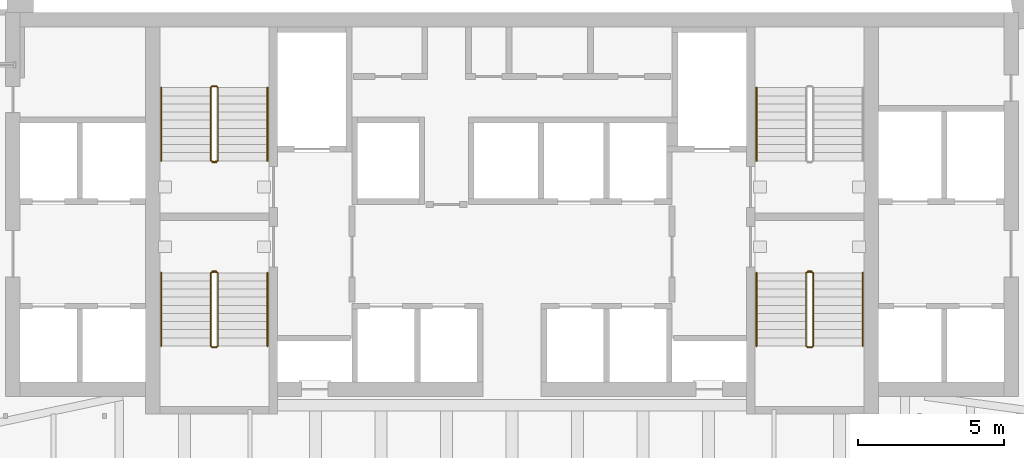
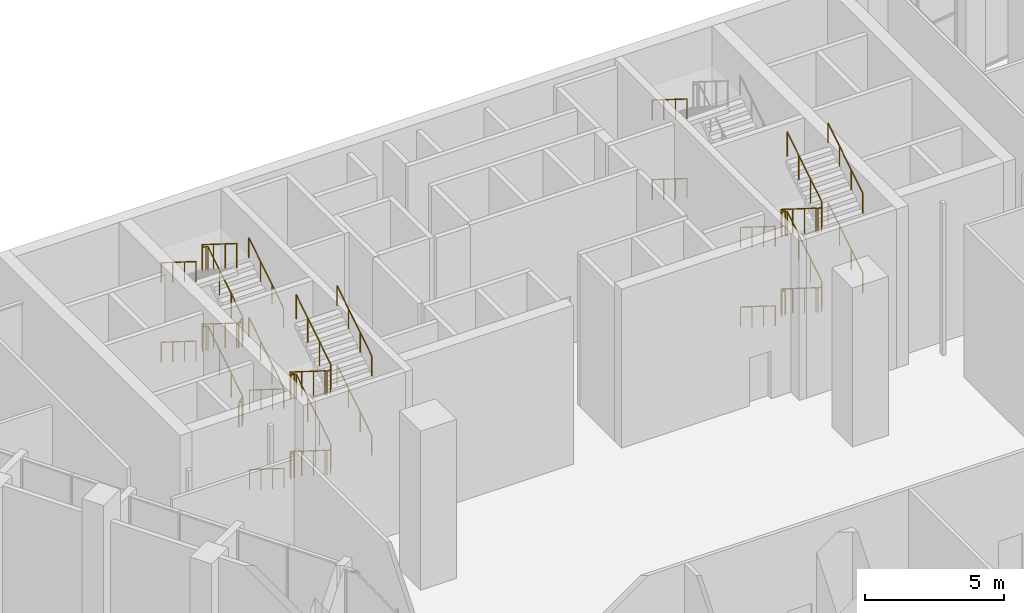
# One storey, part 16 of 17: 17 railings.
"""IFC4 building model written with IfcOpenShell, lengths in metres."""

from ifc_helpers import new_model, si_unit, direction, frame, origin, origin_2d, place, context, subcontext, project, spatial, circle, extrude, material, type_object, element, save


model = new_model("IFC4")

# Units and contexts
model_context = context("Model", 3, precision=1e-05, world=origin(), true_north=direction((0.0, 1.0)))
body_context = subcontext(model_context, "Body", "Model", "MODEL_VIEW")
ifc_project = project(units=[si_unit("LENGTHUNIT", "METRE"), si_unit("AREAUNIT", "SQUARE_METRE"), si_unit("VOLUMEUNIT", "CUBIC_METRE"), si_unit("PLANEANGLEUNIT", "RADIAN"), si_unit("MASSUNIT", "GRAM", prefix="KILO")], contexts=[model_context])

# Site, building, storey
site_placement = place(None, origin())
site = spatial("IfcSite", under=ifc_project, at=site_placement, CompositionType="ELEMENT")
building_placement = place(site_placement, origin())
building = spatial("IfcBuilding", under=site, at=building_placement, Name="Calabash Gate Tower", CompositionType="ELEMENT")
storey_placement = place(building_placement, frame((0.0, 0.0, 132.60009765625)))
storey = spatial("IfcBuildingStorey", under=building, at=storey_placement, Name="L31", CompositionType="ELEMENT", Elevation=132.60009765625)

# Railings
ifc_material_1 = material(Name="Black powder-coated steel balusters", Category="steel")
railing_type_1 = type_object("IfcRailingType", Name="Stair guard RL1100", PredefinedType="GUARDRAIL", material=ifc_material_1)
railing_1_placement = place(storey_placement, frame((-10.14990234375, 13.902587890625, 0.0)))
element("IfcRailing", 1, at=railing_1_placement, inside=storey, type_object=railing_type_1, Name="L31 ST1 stair guard 1", PredefinedType="GUARDRAIL", context=body_context, shape_type="SweptSolid", body=[
    extrude(circle(Radius=0.02392578125, at=origin_2d()), frame((0.0, 0.0, 1.076171875), z_axis=(-1.0, 0.0, 0.0), x_axis=(0.0, -1.0, 0.0)), (0.0, 0.0, 1.0), 0.150146484375),
    extrude(circle(Radius=0.02392578125, at=origin_2d()), frame((-0.150146484375, 0.0, 1.076171875), z_axis=(0.73983951143, 0.185185714094, 0.646794981909), x_axis=(-0.242814311512, 0.970072785993, 0.0)), (0.0, 0.0, 1.0), 0.270263671875),
    extrude(circle(Radius=0.02392578125, at=origin_2d()), frame((0.0498046875, 0.050048828125, 1.2509765625), z_axis=(0.0, 0.84711333194, 0.531412272016), x_axis=(-1.0, 0.0, 0.0)), (0.0, 0.0, 1.0), 2.964111328125),
    extrude(circle(Radius=0.02392578125, at=origin_2d()), frame((0.0498046875, 2.56103515625, 2.826171875), z_axis=(-0.705375805398, 0.708833529934, 0.0), x_axis=(-0.708833529934, -0.705375805398, 0.0)), (0.0, 0.0, 1.0), 0.070556640625),
    extrude(circle(Radius=0.02392578125, at=origin_2d()), frame((0.0, 2.611083984375, 2.826171875), z_axis=(-1.0, 0.0, 0.0), x_axis=(0.0, -1.0, 0.0)), (0.0, 0.0, 1.0), 0.150146484375),
    extrude(circle(Radius=0.02392578125, at=origin_2d()), frame((-0.150146484375, 2.611083984375, 2.826171875), z_axis=(-0.265383341853, -0.265383341853, 0.926899867156), x_axis=(0.707106781187, -0.707106781187, 0.0)), (0.0, 0.0, 1.0), 0.1884765625),
    extrude(circle(Radius=0.02392578125, at=origin_2d()), frame((-0.2001953125, 2.56103515625, 3.0009765625), z_axis=(0.0, -0.84711333194, 0.531412272016), x_axis=(1.0, 0.0, 0.0)), (0.0, 0.0, 1.0), 2.964111328125),
    extrude(circle(Radius=0.02392578125, at=origin_2d()), frame((-0.2001953125, 0.050048828125, 4.576171875), z_axis=(0.970142500145, -0.242535625036, 0.0), x_axis=(0.242535625036, 0.970142500145, 0.0)), (0.0, 0.0, 1.0), 0.206298828125),
    extrude(circle(Radius=0.02392578125, at=origin_2d()), frame((0.0, 0.0, 4.576171875), z_axis=(-1.0, 0.0, 0.0), x_axis=(0.0, -1.0, 0.0)), (0.0, 0.0, 1.0), 0.150146484375),
    extrude(circle(Radius=0.02392578125, at=origin_2d()), frame((-0.150146484375, 0.0, 4.576171875), z_axis=(0.73983951143, 0.185185714094, 0.646794981909), x_axis=(-0.242814311512, 0.970072785993, 0.0)), (0.0, 0.0, 1.0), 0.270263671875),
    extrude(circle(Radius=0.02392578125, at=origin_2d()), frame((0.0498046875, 0.050048828125, 4.7509765625), z_axis=(0.0, 0.84711333194, 0.531412272016), x_axis=(-1.0, 0.0, 0.0)), (0.0, 0.0, 1.0), 2.964111328125),
    extrude(circle(Radius=0.02392578125, at=origin_2d()), frame((0.0498046875, 2.56103515625, 6.326171875), z_axis=(-0.705375805398, 0.708833529934, 0.0), x_axis=(-0.708833529934, -0.705375805398, 0.0)), (0.0, 0.0, 1.0), 0.070556640625),
    extrude(circle(Radius=0.02392578125, at=origin_2d()), frame((0.0, 2.611083984375, 6.326171875), z_axis=(-1.0, 0.0, 0.0), x_axis=(0.0, -1.0, 0.0)), (0.0, 0.0, 1.0), 0.150146484375),
    extrude(circle(Radius=0.02392578125, at=origin_2d()), frame((-0.150146484375, 2.611083984375, 6.326171875), z_axis=(-0.265383341853, -0.265383341853, 0.926899867156), x_axis=(0.707106781187, -0.707106781187, 0.0)), (0.0, 0.0, 1.0), 0.1884765625),
    extrude(circle(Radius=0.02392578125, at=origin_2d()), frame((-0.2001953125, 2.56103515625, 6.5009765625), z_axis=(0.0, -0.84711333194, 0.531412272016), x_axis=(1.0, 0.0, 0.0)), (0.0, 0.0, 1.0), 2.964111328125),
    extrude(circle(Radius=0.02099609375, at=origin_2d()), origin(), (0.0, 0.0, 1.0), 1.052001953125),
    extrude(circle(Radius=0.02099609375, at=origin_2d()), frame((-0.150146484375, 0.0, 0.0)), (0.0, 0.0, 1.0), 1.052001953125),
    extrude(circle(Radius=0.02099609375, at=origin_2d()), frame((0.0498046875, 0.050048828125, 0.1748046875)), (0.0, 0.0, 1.0), 1.052001953125),
    extrude(circle(Radius=0.02099609375, at=origin_2d()), frame((0.0498046875, 0.886962890625, 0.699951171875)), (0.0, 0.0, 1.0), 1.052001953125),
    extrude(circle(Radius=0.02099609375, at=origin_2d()), frame((0.0498046875, 1.72412109375, 1.224853515625)), (0.0, 0.0, 1.0), 1.052001953125),
    extrude(circle(Radius=0.02099609375, at=origin_2d()), frame((0.0498046875, 2.56103515625, 1.75)), (0.0, 0.0, 1.0), 1.052001953125),
    extrude(circle(Radius=0.02099609375, at=origin_2d()), frame((0.0, 2.611083984375, 1.75)), (0.0, 0.0, 1.0), 1.052001953125),
    extrude(circle(Radius=0.02099609375, at=origin_2d()), frame((-0.150146484375, 2.611083984375, 1.75)), (0.0, 0.0, 1.0), 1.052001953125),
    extrude(circle(Radius=0.02099609375, at=origin_2d()), frame((-0.2001953125, 2.56103515625, 1.9248046875)), (0.0, 0.0, 1.0), 1.052001953125),
    extrude(circle(Radius=0.02099609375, at=origin_2d()), frame((-0.2001953125, 1.72412109375, 2.449951171875)), (0.0, 0.0, 1.0), 1.052001953125),
    extrude(circle(Radius=0.02099609375, at=origin_2d()), frame((-0.2001953125, 0.886962890625, 2.974853515625)), (0.0, 0.0, 1.0), 1.052001953125),
    extrude(circle(Radius=0.02099609375, at=origin_2d()), frame((-0.2001953125, 0.050048828125, 3.5)), (0.0, 0.0, 1.0), 1.052001953125),
    extrude(circle(Radius=0.02099609375, at=origin_2d()), frame((0.0, 0.0, 3.5)), (0.0, 0.0, 1.0), 1.052001953125),
    extrude(circle(Radius=0.02099609375, at=origin_2d()), frame((-0.150146484375, 0.0, 3.5)), (0.0, 0.0, 1.0), 1.052001953125),
    extrude(circle(Radius=0.02099609375, at=origin_2d()), frame((0.0498046875, 0.050048828125, 3.6748046875)), (0.0, 0.0, 1.0), 1.052001953125),
    extrude(circle(Radius=0.02099609375, at=origin_2d()), frame((0.0498046875, 0.886962890625, 4.199951171875)), (0.0, 0.0, 1.0), 1.052001953125),
    extrude(circle(Radius=0.02099609375, at=origin_2d()), frame((0.0498046875, 1.72412109375, 4.724853515625)), (0.0, 0.0, 1.0), 1.052001953125),
    extrude(circle(Radius=0.02099609375, at=origin_2d()), frame((0.0498046875, 2.56103515625, 5.25)), (0.0, 0.0, 1.0), 1.052001953125),
    extrude(circle(Radius=0.02099609375, at=origin_2d()), frame((0.0, 2.611083984375, 5.25)), (0.0, 0.0, 1.0), 1.052001953125),
    extrude(circle(Radius=0.02099609375, at=origin_2d()), frame((-0.150146484375, 2.611083984375, 5.25)), (0.0, 0.0, 1.0), 1.052001953125),
    extrude(circle(Radius=0.02099609375, at=origin_2d()), frame((-0.2001953125, 2.56103515625, 5.4248046875)), (0.0, 0.0, 1.0), 1.052001953125),
    extrude(circle(Radius=0.02099609375, at=origin_2d()), frame((-0.2001953125, 1.72412109375, 5.949951171875)), (0.0, 0.0, 1.0), 1.052001953125),
    extrude(circle(Radius=0.02099609375, at=origin_2d()), frame((-0.2001953125, 0.886962890625, 6.474853515625)), (0.0, 0.0, 1.0), 1.052001953125),
    extrude(circle(Radius=0.02099609375, at=origin_2d()), frame((-0.2001953125, 0.050048828125, 7.0)), (0.0, 0.0, 1.0), 1.052001953125),
])
railing_2_placement = place(storey_placement, frame((-10.300048828125, 10.152587890625, 0.0)))
element("IfcRailing", 2, at=railing_2_placement, inside=storey, type_object=railing_type_1, Name="L31 ST2 stair guard 1", PredefinedType="GUARDRAIL", context=body_context, shape_type="SweptSolid", body=[
    extrude(circle(Radius=0.02392578125, at=origin_2d()), frame((0.0, 0.0, 1.076171875), z_axis=(1.0, 0.0, 0.0), x_axis=(0.0, 1.0, 0.0)), (0.0, 0.0, 1.0), 0.150146484375),
    extrude(circle(Radius=0.02392578125, at=origin_2d()), frame((0.150146484375, 0.0, 1.076171875), z_axis=(-0.740247989607, -0.185061997402, 0.64636287873), x_axis=(0.242535625036, -0.970142500145, 0.0)), (0.0, 0.0, 1.0), 0.2705078125),
    extrude(circle(Radius=0.02392578125, at=origin_2d()), frame((-0.050048828125, -0.050048828125, 1.2509765625), z_axis=(0.0, -0.84711333194, 0.531412272016), x_axis=(1.0, 0.0, 0.0)), (0.0, 0.0, 1.0), 2.964111328125),
    extrude(circle(Radius=0.02392578125, at=origin_2d()), frame((-0.050048828125, -2.56103515625, 2.826171875), z_axis=(0.707106781187, -0.707106781187, 0.0), x_axis=(0.707106781187, 0.707106781187, 0.0)), (0.0, 0.0, 1.0), 0.07080078125),
    extrude(circle(Radius=0.02392578125, at=origin_2d()), frame((0.0, -2.611083984375, 2.826171875), z_axis=(1.0, 0.0, 0.0), x_axis=(0.0, 1.0, 0.0)), (0.0, 0.0, 1.0), 0.150146484375),
    extrude(circle(Radius=0.02392578125, at=origin_2d()), frame((0.150146484375, -2.611083984375, 2.826171875), z_axis=(0.264179342666, 0.265474339444, 0.927217692888), x_axis=(-0.708833529934, 0.705375805398, 0.0)), (0.0, 0.0, 1.0), 0.1884765625),
    extrude(circle(Radius=0.02392578125, at=origin_2d()), frame((0.199951171875, -2.56103515625, 3.0009765625), z_axis=(0.0, 0.84711333194, 0.531412272016), x_axis=(-1.0, 0.0, 0.0)), (0.0, 0.0, 1.0), 2.964111328125),
    extrude(circle(Radius=0.02392578125, at=origin_2d()), frame((0.199951171875, -0.050048828125, 4.576171875), z_axis=(-0.970072785993, 0.242814311512, 0.0), x_axis=(-0.242814311512, -0.970072785993, 0.0)), (0.0, 0.0, 1.0), 0.2060546875),
    extrude(circle(Radius=0.02392578125, at=origin_2d()), frame((0.0, 0.0, 4.576171875), z_axis=(1.0, 0.0, 0.0), x_axis=(0.0, 1.0, 0.0)), (0.0, 0.0, 1.0), 0.150146484375),
    extrude(circle(Radius=0.02392578125, at=origin_2d()), frame((0.150146484375, 0.0, 4.576171875), z_axis=(-0.740247989607, -0.185061997402, 0.64636287873), x_axis=(0.242535625036, -0.970142500145, 0.0)), (0.0, 0.0, 1.0), 0.2705078125),
    extrude(circle(Radius=0.02392578125, at=origin_2d()), frame((-0.050048828125, -0.050048828125, 4.7509765625), z_axis=(0.0, -0.84711333194, 0.531412272016), x_axis=(1.0, 0.0, 0.0)), (0.0, 0.0, 1.0), 2.964111328125),
    extrude(circle(Radius=0.02392578125, at=origin_2d()), frame((-0.050048828125, -2.56103515625, 6.326171875), z_axis=(0.707106781187, -0.707106781187, 0.0), x_axis=(0.707106781187, 0.707106781187, 0.0)), (0.0, 0.0, 1.0), 0.07080078125),
    extrude(circle(Radius=0.02392578125, at=origin_2d()), frame((0.0, -2.611083984375, 6.326171875), z_axis=(1.0, 0.0, 0.0), x_axis=(0.0, 1.0, 0.0)), (0.0, 0.0, 1.0), 0.150146484375),
    extrude(circle(Radius=0.02392578125, at=origin_2d()), frame((0.150146484375, -2.611083984375, 6.326171875), z_axis=(0.264179342666, 0.265474339444, 0.927217692888), x_axis=(-0.708833529934, 0.705375805398, 0.0)), (0.0, 0.0, 1.0), 0.1884765625),
    extrude(circle(Radius=0.02392578125, at=origin_2d()), frame((0.199951171875, -2.56103515625, 6.5009765625), z_axis=(0.0, 0.84711333194, 0.531412272016), x_axis=(-1.0, 0.0, 0.0)), (0.0, 0.0, 1.0), 2.964111328125),
    extrude(circle(Radius=0.02099609375, at=origin_2d()), origin(), (0.0, 0.0, 1.0), 1.052001953125),
    extrude(circle(Radius=0.02099609375, at=origin_2d()), frame((0.150146484375, 0.0, 0.0)), (0.0, 0.0, 1.0), 1.052001953125),
    extrude(circle(Radius=0.02099609375, at=origin_2d()), frame((-0.050048828125, -0.050048828125, 0.1748046875)), (0.0, 0.0, 1.0), 1.052001953125),
    extrude(circle(Radius=0.02099609375, at=origin_2d()), frame((-0.050048828125, -0.886962890625, 0.699951171875)), (0.0, 0.0, 1.0), 1.052001953125),
    extrude(circle(Radius=0.02099609375, at=origin_2d()), frame((-0.050048828125, -1.72412109375, 1.224853515625)), (0.0, 0.0, 1.0), 1.052001953125),
    extrude(circle(Radius=0.02099609375, at=origin_2d()), frame((-0.050048828125, -2.56103515625, 1.75)), (0.0, 0.0, 1.0), 1.052001953125),
    extrude(circle(Radius=0.02099609375, at=origin_2d()), frame((0.0, -2.611083984375, 1.75)), (0.0, 0.0, 1.0), 1.052001953125),
    extrude(circle(Radius=0.02099609375, at=origin_2d()), frame((0.150146484375, -2.611083984375, 1.75)), (0.0, 0.0, 1.0), 1.052001953125),
    extrude(circle(Radius=0.02099609375, at=origin_2d()), frame((0.199951171875, -2.56103515625, 1.9248046875)), (0.0, 0.0, 1.0), 1.052001953125),
    extrude(circle(Radius=0.02099609375, at=origin_2d()), frame((0.199951171875, -1.72412109375, 2.449951171875)), (0.0, 0.0, 1.0), 1.052001953125),
    extrude(circle(Radius=0.02099609375, at=origin_2d()), frame((0.199951171875, -0.886962890625, 2.974853515625)), (0.0, 0.0, 1.0), 1.052001953125),
    extrude(circle(Radius=0.02099609375, at=origin_2d()), frame((0.199951171875, -0.050048828125, 3.5)), (0.0, 0.0, 1.0), 1.052001953125),
    extrude(circle(Radius=0.02099609375, at=origin_2d()), frame((0.0, 0.0, 3.5)), (0.0, 0.0, 1.0), 1.052001953125),
    extrude(circle(Radius=0.02099609375, at=origin_2d()), frame((0.150146484375, 0.0, 3.5)), (0.0, 0.0, 1.0), 1.052001953125),
    extrude(circle(Radius=0.02099609375, at=origin_2d()), frame((-0.050048828125, -0.050048828125, 3.6748046875)), (0.0, 0.0, 1.0), 1.052001953125),
    extrude(circle(Radius=0.02099609375, at=origin_2d()), frame((-0.050048828125, -0.886962890625, 4.199951171875)), (0.0, 0.0, 1.0), 1.052001953125),
    extrude(circle(Radius=0.02099609375, at=origin_2d()), frame((-0.050048828125, -1.72412109375, 4.724853515625)), (0.0, 0.0, 1.0), 1.052001953125),
    extrude(circle(Radius=0.02099609375, at=origin_2d()), frame((-0.050048828125, -2.56103515625, 5.25)), (0.0, 0.0, 1.0), 1.052001953125),
    extrude(circle(Radius=0.02099609375, at=origin_2d()), frame((0.0, -2.611083984375, 5.25)), (0.0, 0.0, 1.0), 1.052001953125),
    extrude(circle(Radius=0.02099609375, at=origin_2d()), frame((0.150146484375, -2.611083984375, 5.25)), (0.0, 0.0, 1.0), 1.052001953125),
    extrude(circle(Radius=0.02099609375, at=origin_2d()), frame((0.199951171875, -2.56103515625, 5.4248046875)), (0.0, 0.0, 1.0), 1.052001953125),
    extrude(circle(Radius=0.02099609375, at=origin_2d()), frame((0.199951171875, -1.72412109375, 5.949951171875)), (0.0, 0.0, 1.0), 1.052001953125),
    extrude(circle(Radius=0.02099609375, at=origin_2d()), frame((0.199951171875, -0.886962890625, 6.474853515625)), (0.0, 0.0, 1.0), 1.052001953125),
    extrude(circle(Radius=0.02099609375, at=origin_2d()), frame((0.199951171875, -0.050048828125, 7.0)), (0.0, 0.0, 1.0), 1.052001953125),
])
railing_3_placement = place(storey_placement, frame((10.14990234375, 10.152587890625, 0.0)))
element("IfcRailing", 3, at=railing_3_placement, inside=storey, type_object=railing_type_1, Name="L31 ST4 stair guard 1", PredefinedType="GUARDRAIL", context=body_context, shape_type="SweptSolid", body=[
    extrude(circle(Radius=0.02392578125, at=origin_2d()), frame((0.0, 0.0, 1.076171875), z_axis=(1.0, 0.0, 0.0), x_axis=(0.0, 1.0, 0.0)), (0.0, 0.0, 1.0), 0.150146484375),
    extrude(circle(Radius=0.02392578125, at=origin_2d()), frame((0.150146484375, 0.0, 1.076171875), z_axis=(-0.73983951143, -0.185185714094, 0.646794981909), x_axis=(0.242814311512, -0.970072785993, 0.0)), (0.0, 0.0, 1.0), 0.270263671875),
    extrude(circle(Radius=0.02392578125, at=origin_2d()), frame((-0.0498046875, -0.050048828125, 1.2509765625), z_axis=(0.0, -0.84711333194, 0.531412272016), x_axis=(1.0, 0.0, 0.0)), (0.0, 0.0, 1.0), 2.964111328125),
    extrude(circle(Radius=0.02392578125, at=origin_2d()), frame((-0.0498046875, -2.56103515625, 2.826171875), z_axis=(0.705375805398, -0.708833529934, 0.0), x_axis=(0.708833529934, 0.705375805398, 0.0)), (0.0, 0.0, 1.0), 0.070556640625),
    extrude(circle(Radius=0.02392578125, at=origin_2d()), frame((0.0, -2.611083984375, 2.826171875), z_axis=(1.0, 0.0, 0.0), x_axis=(0.0, 1.0, 0.0)), (0.0, 0.0, 1.0), 0.150146484375),
    extrude(circle(Radius=0.02392578125, at=origin_2d()), frame((0.150146484375, -2.611083984375, 2.826171875), z_axis=(0.265383341853, 0.265383341853, 0.926899867156), x_axis=(-0.707106781187, 0.707106781187, 0.0)), (0.0, 0.0, 1.0), 0.1884765625),
    extrude(circle(Radius=0.02392578125, at=origin_2d()), frame((0.2001953125, -2.56103515625, 3.0009765625), z_axis=(0.0, 0.84711333194, 0.531412272016), x_axis=(-1.0, 0.0, 0.0)), (0.0, 0.0, 1.0), 2.964111328125),
    extrude(circle(Radius=0.02392578125, at=origin_2d()), frame((0.2001953125, -0.050048828125, 4.576171875), z_axis=(-0.970142500145, 0.242535625036, 0.0), x_axis=(-0.242535625036, -0.970142500145, 0.0)), (0.0, 0.0, 1.0), 0.206298828125),
    extrude(circle(Radius=0.02392578125, at=origin_2d()), frame((0.0, 0.0, 4.576171875), z_axis=(1.0, 0.0, 0.0), x_axis=(0.0, 1.0, 0.0)), (0.0, 0.0, 1.0), 0.150146484375),
    extrude(circle(Radius=0.02392578125, at=origin_2d()), frame((0.150146484375, 0.0, 4.576171875), z_axis=(-0.73983951143, -0.185185714094, 0.646794981909), x_axis=(0.242814311512, -0.970072785993, 0.0)), (0.0, 0.0, 1.0), 0.270263671875),
    extrude(circle(Radius=0.02392578125, at=origin_2d()), frame((-0.0498046875, -0.050048828125, 4.7509765625), z_axis=(0.0, -0.84711333194, 0.531412272016), x_axis=(1.0, 0.0, 0.0)), (0.0, 0.0, 1.0), 2.964111328125),
    extrude(circle(Radius=0.02392578125, at=origin_2d()), frame((-0.0498046875, -2.56103515625, 6.326171875), z_axis=(0.705375805398, -0.708833529934, 0.0), x_axis=(0.708833529934, 0.705375805398, 0.0)), (0.0, 0.0, 1.0), 0.070556640625),
    extrude(circle(Radius=0.02392578125, at=origin_2d()), frame((0.0, -2.611083984375, 6.326171875), z_axis=(1.0, 0.0, 0.0), x_axis=(0.0, 1.0, 0.0)), (0.0, 0.0, 1.0), 0.150146484375),
    extrude(circle(Radius=0.02392578125, at=origin_2d()), frame((0.150146484375, -2.611083984375, 6.326171875), z_axis=(0.265383341853, 0.265383341853, 0.926899867156), x_axis=(-0.707106781187, 0.707106781187, 0.0)), (0.0, 0.0, 1.0), 0.1884765625),
    extrude(circle(Radius=0.02392578125, at=origin_2d()), frame((0.2001953125, -2.56103515625, 6.5009765625), z_axis=(0.0, 0.84711333194, 0.531412272016), x_axis=(-1.0, 0.0, 0.0)), (0.0, 0.0, 1.0), 2.964111328125),
    extrude(circle(Radius=0.02099609375, at=origin_2d()), origin(), (0.0, 0.0, 1.0), 1.052001953125),
    extrude(circle(Radius=0.02099609375, at=origin_2d()), frame((0.150146484375, 0.0, 0.0)), (0.0, 0.0, 1.0), 1.052001953125),
    extrude(circle(Radius=0.02099609375, at=origin_2d()), frame((-0.0498046875, -0.050048828125, 0.1748046875)), (0.0, 0.0, 1.0), 1.052001953125),
    extrude(circle(Radius=0.02099609375, at=origin_2d()), frame((-0.0498046875, -0.886962890625, 0.699951171875)), (0.0, 0.0, 1.0), 1.052001953125),
    extrude(circle(Radius=0.02099609375, at=origin_2d()), frame((-0.0498046875, -1.72412109375, 1.224853515625)), (0.0, 0.0, 1.0), 1.052001953125),
    extrude(circle(Radius=0.02099609375, at=origin_2d()), frame((-0.0498046875, -2.56103515625, 1.75)), (0.0, 0.0, 1.0), 1.052001953125),
    extrude(circle(Radius=0.02099609375, at=origin_2d()), frame((0.0, -2.611083984375, 1.75)), (0.0, 0.0, 1.0), 1.052001953125),
    extrude(circle(Radius=0.02099609375, at=origin_2d()), frame((0.150146484375, -2.611083984375, 1.75)), (0.0, 0.0, 1.0), 1.052001953125),
    extrude(circle(Radius=0.02099609375, at=origin_2d()), frame((0.2001953125, -2.56103515625, 1.9248046875)), (0.0, 0.0, 1.0), 1.052001953125),
    extrude(circle(Radius=0.02099609375, at=origin_2d()), frame((0.2001953125, -1.72412109375, 2.449951171875)), (0.0, 0.0, 1.0), 1.052001953125),
    extrude(circle(Radius=0.02099609375, at=origin_2d()), frame((0.2001953125, -0.886962890625, 2.974853515625)), (0.0, 0.0, 1.0), 1.052001953125),
    extrude(circle(Radius=0.02099609375, at=origin_2d()), frame((0.2001953125, -0.050048828125, 3.5)), (0.0, 0.0, 1.0), 1.052001953125),
    extrude(circle(Radius=0.02099609375, at=origin_2d()), frame((0.0, 0.0, 3.5)), (0.0, 0.0, 1.0), 1.052001953125),
    extrude(circle(Radius=0.02099609375, at=origin_2d()), frame((0.150146484375, 0.0, 3.5)), (0.0, 0.0, 1.0), 1.052001953125),
    extrude(circle(Radius=0.02099609375, at=origin_2d()), frame((-0.0498046875, -0.050048828125, 3.6748046875)), (0.0, 0.0, 1.0), 1.052001953125),
    extrude(circle(Radius=0.02099609375, at=origin_2d()), frame((-0.0498046875, -0.886962890625, 4.199951171875)), (0.0, 0.0, 1.0), 1.052001953125),
    extrude(circle(Radius=0.02099609375, at=origin_2d()), frame((-0.0498046875, -1.72412109375, 4.724853515625)), (0.0, 0.0, 1.0), 1.052001953125),
    extrude(circle(Radius=0.02099609375, at=origin_2d()), frame((-0.0498046875, -2.56103515625, 5.25)), (0.0, 0.0, 1.0), 1.052001953125),
    extrude(circle(Radius=0.02099609375, at=origin_2d()), frame((0.0, -2.611083984375, 5.25)), (0.0, 0.0, 1.0), 1.052001953125),
    extrude(circle(Radius=0.02099609375, at=origin_2d()), frame((0.150146484375, -2.611083984375, 5.25)), (0.0, 0.0, 1.0), 1.052001953125),
    extrude(circle(Radius=0.02099609375, at=origin_2d()), frame((0.2001953125, -2.56103515625, 5.4248046875)), (0.0, 0.0, 1.0), 1.052001953125),
    extrude(circle(Radius=0.02099609375, at=origin_2d()), frame((0.2001953125, -1.72412109375, 5.949951171875)), (0.0, 0.0, 1.0), 1.052001953125),
    extrude(circle(Radius=0.02099609375, at=origin_2d()), frame((0.2001953125, -0.886962890625, 6.474853515625)), (0.0, 0.0, 1.0), 1.052001953125),
    extrude(circle(Radius=0.02099609375, at=origin_2d()), frame((0.2001953125, -0.050048828125, 7.0)), (0.0, 0.0, 1.0), 1.052001953125),
])
ifc_material_2 = material(Name="Black powder-coated steel tube 48 mm", Category="steel")
railing_type_2 = type_object("IfcRailingType", Name="Stair handrail RL900", PredefinedType="HANDRAIL", material=ifc_material_2)
railing_4_placement = place(storey_placement, frame((-8.39990234375, 13.95263671875, 0.1748046875)))
element("IfcRailing", 4, at=railing_4_placement, inside=storey, type_object=railing_type_2, Name="L31 ST1 stair handrail 1", PredefinedType="HANDRAIL", context=body_context, shape_type="SweptSolid", body=[
    extrude(circle(Radius=0.02392578125, at=origin_2d()), frame((0.0, 0.0, 0.8759765625), z_axis=(0.0, 0.84711333194, 0.531412272016), x_axis=(-1.0, 0.0, 0.0)), (0.0, 0.0, 1.0), 2.964111328125),
    extrude(circle(Radius=0.02099609375, at=origin_2d()), origin(), (0.0, 0.0, 1.0), 0.851806640625),
    extrude(circle(Radius=0.02099609375, at=origin_2d()), frame((0.0, 0.8369140625, 0.525146484375)), (0.0, 0.0, 1.0), 0.851806640625),
    extrude(circle(Radius=0.02099609375, at=origin_2d()), frame((0.0, 1.674072265625, 1.050048828125)), (0.0, 0.0, 1.0), 0.851806640625),
    extrude(circle(Radius=0.02099609375, at=origin_2d()), frame((0.0, 2.510986328125, 1.5751953125)), (0.0, 0.0, 1.0), 0.851806640625),
])
railing_5_placement = place(storey_placement, frame((-12.050048828125, 16.463623046875, 1.9248046875)))
element("IfcRailing", 5, at=railing_5_placement, inside=storey, type_object=railing_type_2, Name="L31 ST1 stair handrail 2", PredefinedType="HANDRAIL", context=body_context, shape_type="SweptSolid", body=[
    extrude(circle(Radius=0.02392578125, at=origin_2d()), frame((0.0, 0.0, 0.8759765625), z_axis=(0.0, -0.84711333194, 0.531412272016), x_axis=(1.0, 0.0, 0.0)), (0.0, 0.0, 1.0), 2.964111328125),
    extrude(circle(Radius=0.02099609375, at=origin_2d()), origin(), (0.0, 0.0, 1.0), 0.851806640625),
    extrude(circle(Radius=0.02099609375, at=origin_2d()), frame((0.0, -0.8369140625, 0.525146484375)), (0.0, 0.0, 1.0), 0.851806640625),
    extrude(circle(Radius=0.02099609375, at=origin_2d()), frame((0.0, -1.674072265625, 1.050048828125)), (0.0, 0.0, 1.0), 0.851806640625),
    extrude(circle(Radius=0.02099609375, at=origin_2d()), frame((0.0, -2.510986328125, 1.5751953125)), (0.0, 0.0, 1.0), 0.851806640625),
])
railing_6_placement = place(storey_placement, frame((-8.39990234375, 13.95263671875, 3.6748046875)))
element("IfcRailing", 6, at=railing_6_placement, inside=storey, type_object=railing_type_2, Name="L31 ST1 stair handrail 3", PredefinedType="HANDRAIL", context=body_context, shape_type="SweptSolid", body=[
    extrude(circle(Radius=0.02392578125, at=origin_2d()), frame((0.0, 0.0, 0.8759765625), z_axis=(0.0, 0.84711333194, 0.531412272016), x_axis=(-1.0, 0.0, 0.0)), (0.0, 0.0, 1.0), 2.964111328125),
    extrude(circle(Radius=0.02099609375, at=origin_2d()), origin(), (0.0, 0.0, 1.0), 0.851806640625),
    extrude(circle(Radius=0.02099609375, at=origin_2d()), frame((0.0, 0.8369140625, 0.525146484375)), (0.0, 0.0, 1.0), 0.851806640625),
    extrude(circle(Radius=0.02099609375, at=origin_2d()), frame((0.0, 1.674072265625, 1.050048828125)), (0.0, 0.0, 1.0), 0.851806640625),
    extrude(circle(Radius=0.02099609375, at=origin_2d()), frame((0.0, 2.510986328125, 1.5751953125)), (0.0, 0.0, 1.0), 0.851806640625),
])
for number, where, name in (
    (7, (-12.050048828125, 16.463623046875, 5.4248046875), "L31 ST1 stair handrail 4"),
    (8, (-12.050048828125, 10.1025390625, 0.1748046875), "L31 ST2 stair handrail 1"),
):
    element("IfcRailing", number, at=place(storey_placement, frame(where)), inside=storey, type_object=railing_type_2, Name=name, PredefinedType="HANDRAIL", context=body_context, shape_type="SweptSolid", body=[
        extrude(circle(Radius=0.02392578125, at=origin_2d()), frame((0.0, 0.0, 0.8759765625), z_axis=(0.0, -0.84711333194, 0.531412272016), x_axis=(1.0, 0.0, 0.0)), (0.0, 0.0, 1.0), 2.964111328125),
        extrude(circle(Radius=0.02099609375, at=origin_2d()), origin(), (0.0, 0.0, 1.0), 0.851806640625),
        extrude(circle(Radius=0.02099609375, at=origin_2d()), frame((0.0, -0.8369140625, 0.525146484375)), (0.0, 0.0, 1.0), 0.851806640625),
        extrude(circle(Radius=0.02099609375, at=origin_2d()), frame((0.0, -1.674072265625, 1.050048828125)), (0.0, 0.0, 1.0), 0.851806640625),
        extrude(circle(Radius=0.02099609375, at=origin_2d()), frame((0.0, -2.510986328125, 1.5751953125)), (0.0, 0.0, 1.0), 0.851806640625),
    ])
railing_7_placement = place(storey_placement, frame((-8.39990234375, 7.591552734375, 1.9248046875)))
element("IfcRailing", 9, at=railing_7_placement, inside=storey, type_object=railing_type_2, Name="L31 ST2 stair handrail 2", PredefinedType="HANDRAIL", context=body_context, shape_type="SweptSolid", body=[
    extrude(circle(Radius=0.02392578125, at=origin_2d()), frame((0.0, 0.0, 0.8759765625), z_axis=(0.0, 0.84711333194, 0.531412272016), x_axis=(-1.0, 0.0, 0.0)), (0.0, 0.0, 1.0), 2.964111328125),
    extrude(circle(Radius=0.02099609375, at=origin_2d()), origin(), (0.0, 0.0, 1.0), 0.851806640625),
    extrude(circle(Radius=0.02099609375, at=origin_2d()), frame((0.0, 0.8369140625, 0.525146484375)), (0.0, 0.0, 1.0), 0.851806640625),
    extrude(circle(Radius=0.02099609375, at=origin_2d()), frame((0.0, 1.674072265625, 1.050048828125)), (0.0, 0.0, 1.0), 0.851806640625),
    extrude(circle(Radius=0.02099609375, at=origin_2d()), frame((0.0, 2.510986328125, 1.5751953125)), (0.0, 0.0, 1.0), 0.851806640625),
])
railing_8_placement = place(storey_placement, frame((-12.050048828125, 10.1025390625, 3.6748046875)))
element("IfcRailing", 10, at=railing_8_placement, inside=storey, type_object=railing_type_2, Name="L31 ST2 stair handrail 3", PredefinedType="HANDRAIL", context=body_context, shape_type="SweptSolid", body=[
    extrude(circle(Radius=0.02392578125, at=origin_2d()), frame((0.0, 0.0, 0.8759765625), z_axis=(0.0, -0.84711333194, 0.531412272016), x_axis=(1.0, 0.0, 0.0)), (0.0, 0.0, 1.0), 2.964111328125),
    extrude(circle(Radius=0.02099609375, at=origin_2d()), origin(), (0.0, 0.0, 1.0), 0.851806640625),
    extrude(circle(Radius=0.02099609375, at=origin_2d()), frame((0.0, -0.8369140625, 0.525146484375)), (0.0, 0.0, 1.0), 0.851806640625),
    extrude(circle(Radius=0.02099609375, at=origin_2d()), frame((0.0, -1.674072265625, 1.050048828125)), (0.0, 0.0, 1.0), 0.851806640625),
    extrude(circle(Radius=0.02099609375, at=origin_2d()), frame((0.0, -2.510986328125, 1.5751953125)), (0.0, 0.0, 1.0), 0.851806640625),
])
railing_9_placement = place(storey_placement, frame((-8.39990234375, 7.591552734375, 5.4248046875)))
element("IfcRailing", 11, at=railing_9_placement, inside=storey, type_object=railing_type_2, Name="L31 ST2 stair handrail 4", PredefinedType="HANDRAIL", context=body_context, shape_type="SweptSolid", body=[
    extrude(circle(Radius=0.02392578125, at=origin_2d()), frame((0.0, 0.0, 0.8759765625), z_axis=(0.0, 0.84711333194, 0.531412272016), x_axis=(-1.0, 0.0, 0.0)), (0.0, 0.0, 1.0), 2.964111328125),
    extrude(circle(Radius=0.02099609375, at=origin_2d()), origin(), (0.0, 0.0, 1.0), 0.851806640625),
    extrude(circle(Radius=0.02099609375, at=origin_2d()), frame((0.0, 0.8369140625, 0.525146484375)), (0.0, 0.0, 1.0), 0.851806640625),
    extrude(circle(Radius=0.02099609375, at=origin_2d()), frame((0.0, 1.674072265625, 1.050048828125)), (0.0, 0.0, 1.0), 0.851806640625),
    extrude(circle(Radius=0.02099609375, at=origin_2d()), frame((0.0, 2.510986328125, 1.5751953125)), (0.0, 0.0, 1.0), 0.851806640625),
])
for number, where, name in (
    (12, (8.39990234375, 16.463623046875, 1.9248046875), "L31 ST3 stair handrail 2"),
    (13, (8.39990234375, 16.463623046875, 5.4248046875), "L31 ST3 stair handrail 4"),
    (14, (8.39990234375, 10.1025390625, 0.1748046875), "L31 ST4 stair handrail 1"),
):
    element("IfcRailing", number, at=place(storey_placement, frame(where)), inside=storey, type_object=railing_type_2, Name=name, PredefinedType="HANDRAIL", context=body_context, shape_type="SweptSolid", body=[
        extrude(circle(Radius=0.02392578125, at=origin_2d()), frame((0.0, 0.0, 0.8759765625), z_axis=(0.0, -0.84711333194, 0.531412272016), x_axis=(1.0, 0.0, 0.0)), (0.0, 0.0, 1.0), 2.964111328125),
        extrude(circle(Radius=0.02099609375, at=origin_2d()), origin(), (0.0, 0.0, 1.0), 0.851806640625),
        extrude(circle(Radius=0.02099609375, at=origin_2d()), frame((0.0, -0.8369140625, 0.525146484375)), (0.0, 0.0, 1.0), 0.851806640625),
        extrude(circle(Radius=0.02099609375, at=origin_2d()), frame((0.0, -1.674072265625, 1.050048828125)), (0.0, 0.0, 1.0), 0.851806640625),
        extrude(circle(Radius=0.02099609375, at=origin_2d()), frame((0.0, -2.510986328125, 1.5751953125)), (0.0, 0.0, 1.0), 0.851806640625),
    ])
railing_10_placement = place(storey_placement, frame((12.050048828125, 7.591552734375, 1.9248046875)))
element("IfcRailing", 15, at=railing_10_placement, inside=storey, type_object=railing_type_2, Name="L31 ST4 stair handrail 2", PredefinedType="HANDRAIL", context=body_context, shape_type="SweptSolid", body=[
    extrude(circle(Radius=0.02392578125, at=origin_2d()), frame((0.0, 0.0, 0.8759765625), z_axis=(0.0, 0.84711333194, 0.531412272016), x_axis=(-1.0, 0.0, 0.0)), (0.0, 0.0, 1.0), 2.964111328125),
    extrude(circle(Radius=0.02099609375, at=origin_2d()), origin(), (0.0, 0.0, 1.0), 0.851806640625),
    extrude(circle(Radius=0.02099609375, at=origin_2d()), frame((0.0, 0.8369140625, 0.525146484375)), (0.0, 0.0, 1.0), 0.851806640625),
    extrude(circle(Radius=0.02099609375, at=origin_2d()), frame((0.0, 1.674072265625, 1.050048828125)), (0.0, 0.0, 1.0), 0.851806640625),
    extrude(circle(Radius=0.02099609375, at=origin_2d()), frame((0.0, 2.510986328125, 1.5751953125)), (0.0, 0.0, 1.0), 0.851806640625),
])
railing_11_placement = place(storey_placement, frame((8.39990234375, 10.1025390625, 3.6748046875)))
element("IfcRailing", 16, at=railing_11_placement, inside=storey, type_object=railing_type_2, Name="L31 ST4 stair handrail 3", PredefinedType="HANDRAIL", context=body_context, shape_type="SweptSolid", body=[
    extrude(circle(Radius=0.02392578125, at=origin_2d()), frame((0.0, 0.0, 0.8759765625), z_axis=(0.0, -0.84711333194, 0.531412272016), x_axis=(1.0, 0.0, 0.0)), (0.0, 0.0, 1.0), 2.964111328125),
    extrude(circle(Radius=0.02099609375, at=origin_2d()), origin(), (0.0, 0.0, 1.0), 0.851806640625),
    extrude(circle(Radius=0.02099609375, at=origin_2d()), frame((0.0, -0.8369140625, 0.525146484375)), (0.0, 0.0, 1.0), 0.851806640625),
    extrude(circle(Radius=0.02099609375, at=origin_2d()), frame((0.0, -1.674072265625, 1.050048828125)), (0.0, 0.0, 1.0), 0.851806640625),
    extrude(circle(Radius=0.02099609375, at=origin_2d()), frame((0.0, -2.510986328125, 1.5751953125)), (0.0, 0.0, 1.0), 0.851806640625),
])
railing_12_placement = place(storey_placement, frame((12.050048828125, 7.591552734375, 5.4248046875)))
element("IfcRailing", 17, at=railing_12_placement, inside=storey, type_object=railing_type_2, Name="L31 ST4 stair handrail 4", PredefinedType="HANDRAIL", context=body_context, shape_type="SweptSolid", body=[
    extrude(circle(Radius=0.02392578125, at=origin_2d()), frame((0.0, 0.0, 0.8759765625), z_axis=(0.0, 0.84711333194, 0.531412272016), x_axis=(-1.0, 0.0, 0.0)), (0.0, 0.0, 1.0), 2.964111328125),
    extrude(circle(Radius=0.02099609375, at=origin_2d()), origin(), (0.0, 0.0, 1.0), 0.851806640625),
    extrude(circle(Radius=0.02099609375, at=origin_2d()), frame((0.0, 0.8369140625, 0.525146484375)), (0.0, 0.0, 1.0), 0.851806640625),
    extrude(circle(Radius=0.02099609375, at=origin_2d()), frame((0.0, 1.674072265625, 1.050048828125)), (0.0, 0.0, 1.0), 0.851806640625),
    extrude(circle(Radius=0.02099609375, at=origin_2d()), frame((0.0, 2.510986328125, 1.5751953125)), (0.0, 0.0, 1.0), 0.851806640625),
])

save(model, "model.ifc")
